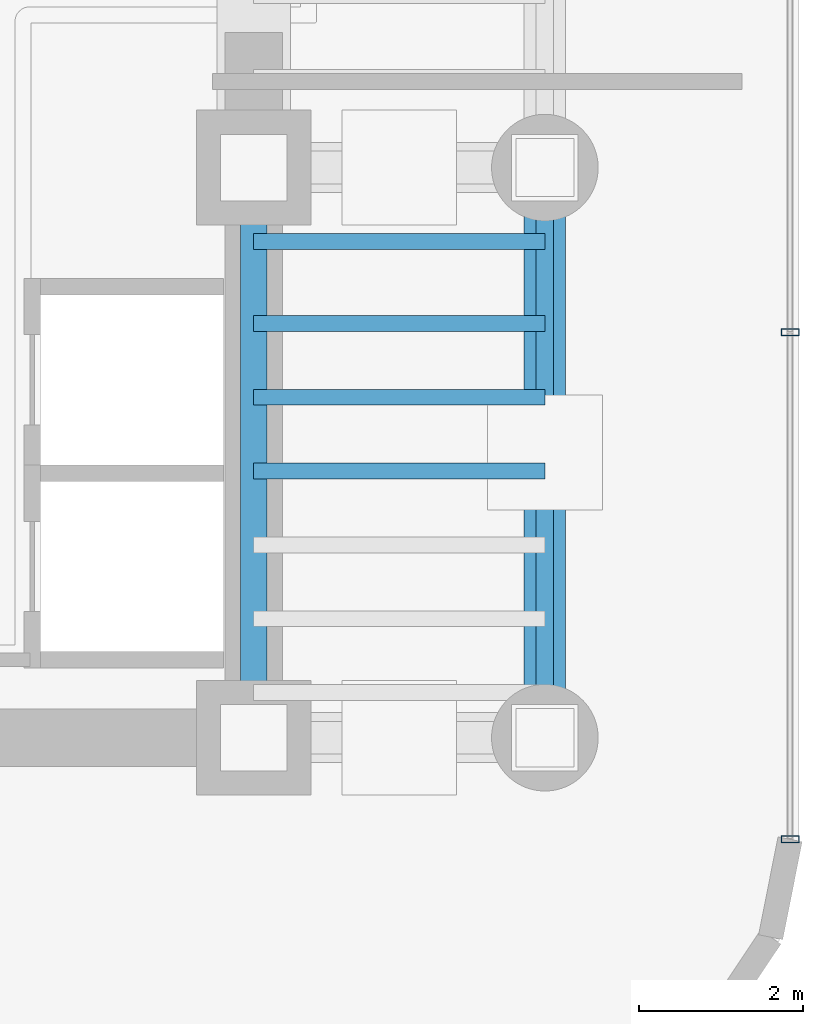
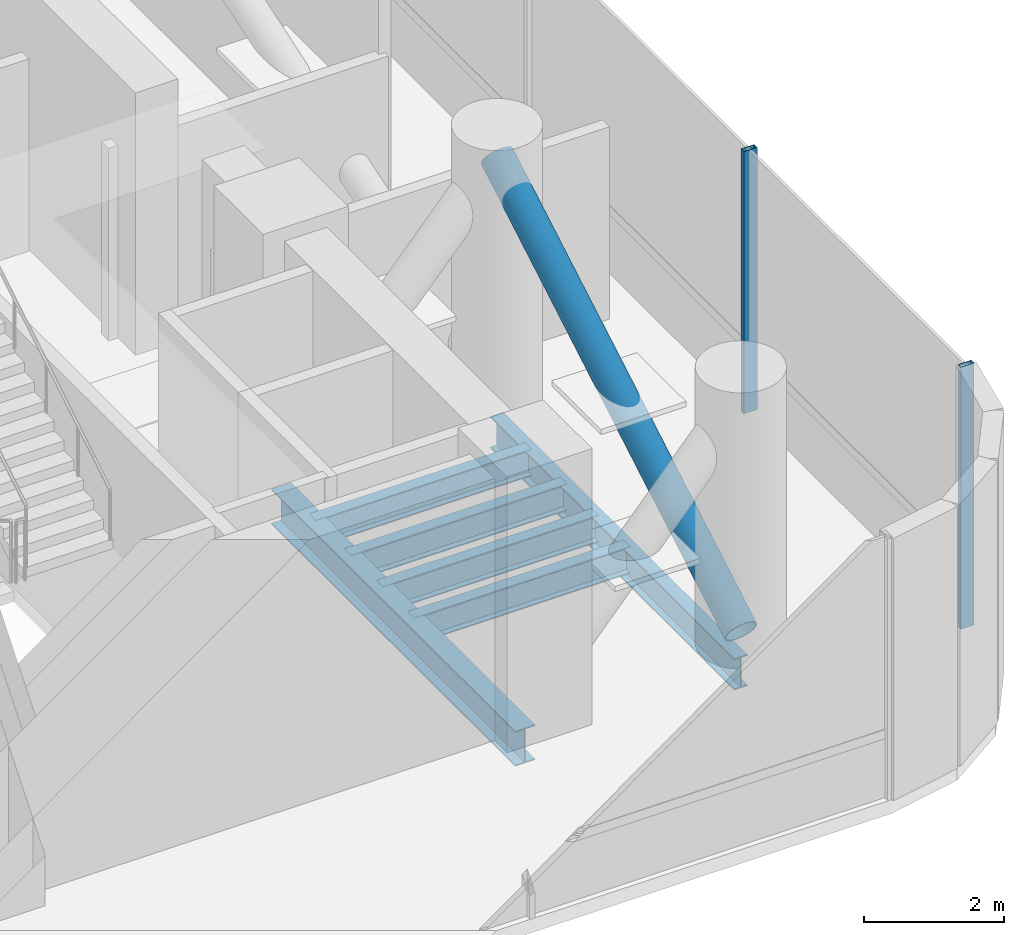
# One storey, part 15 of 39: 6 beams, 3 members, 1 element without a shape of its own.
"""IFC4 building model written with IfcOpenShell, lengths in metres."""

import ifcopenshell
import ifcopenshell.guid

model = None  # the IFC model being written
_history = None  # IfcOwnerHistory: only IFC2X3 demands one
_inside = {}  # id of a spatial element -> (the spatial element, [elements in it])
_under = {}  # id of a project, library or spatial element -> (it, [spatial elements below it])
_declared = {}  # id of a project -> (the project, [libraries it declares])
_typed = {}  # id of a type object -> (the type object, [elements of that type])
_made_of = {}  # id of a material, layer set ... -> (it, [elements and type objects made of it])


def new_model(schema):
    """Start an empty IFC model of exactly this schema.

    Asked for "IFC4X3", IfcOpenShell would pick the latest addendum, in which some entities
    have other attributes; the version numbers below select the first issue.
    IFC2X3 requires an IfcOwnerHistory on every rooted entity: one is made here for all.
    """
    global model, _history
    if schema == "IFC4X3":
        model = ifcopenshell.file(schema_version=(4, 3, 0, 0))
    else:
        model = ifcopenshell.file(schema=schema)
    _inside.clear()
    _under.clear()
    _declared.clear()
    _typed.clear()
    _made_of.clear()
    _history = None
    if model.schema == "IFC2X3":
        org = make("IfcOrganization", Name="unknown")
        user = make(
            "IfcPersonAndOrganization",
            ThePerson=make("IfcPerson", FamilyName="unknown"),
            TheOrganization=org,
        )
        app = make(
            "IfcApplication",
            ApplicationDeveloper=org,
            Version="unknown",
            ApplicationFullName="unknown",
            ApplicationIdentifier="unknown",
        )
        _history = make(
            "IfcOwnerHistory",
            OwningUser=user,
            OwningApplication=app,
            ChangeAction="ADDED",
            CreationDate=0,
        )
    return model


def make(cls, **values):
    """One entity of the class cls with the attributes given. An attribute that is None is left unset."""
    return model.create_entity(
        cls, **{name: value for name, value in values.items() if value is not None}
    )


def rooted(cls, **values):
    """An entity with a GlobalId (a new one), such as an element, a storey or a relation."""
    return make(cls, GlobalId=ifcopenshell.guid.new(), OwnerHistory=_history, **values)


def si_unit(unit_type, name, prefix=None):
    """IfcSIUnit, for example si_unit("LENGTHUNIT", "METRE", prefix="MILLI")."""
    return make("IfcSIUnit", UnitType=unit_type, Prefix=prefix, Name=name)


def assignment(units):
    """IfcUnitAssignment: the units of a project."""
    return None if units is None else make("IfcUnitAssignment", Units=units)


def point(xyz):
    """IfcCartesianPoint."""
    return None if xyz is None else make("IfcCartesianPoint", Coordinates=xyz)


def direction(xyz):
    """IfcDirection."""
    return None if xyz is None else make("IfcDirection", DirectionRatios=xyz)


def frame(location, z_axis=None, x_axis=None):
    """IfcAxis2Placement3D, a coordinate frame: its origin and axes. An axis left out is left unset."""
    return make(
        "IfcAxis2Placement3D",
        Location=point(location),
        Axis=direction(z_axis),
        RefDirection=direction(x_axis),
    )


def frame_2d(location, x_axis=None):
    """IfcAxis2Placement2D, a coordinate frame in the plane: its origin and x axis."""
    return make(
        "IfcAxis2Placement2D", Location=point(location), RefDirection=direction(x_axis)
    )


def origin():
    """The frame at (0, 0, 0) with its axes left unset."""
    return frame((0.0, 0.0, 0.0))


def origin_2d():
    """The frame at (0, 0) in the plane with its x axis left unset."""
    return frame_2d((0.0, 0.0))


def place(relative_to, where):
    """IfcLocalPlacement: puts the frame where relative to a parent placement (None: the world)."""
    return make(
        "IfcLocalPlacement", PlacementRelTo=relative_to, RelativePlacement=where
    )


def context(
    kind, dimensions, precision=None, world=None, true_north=None, identifier=None
):
    """IfcGeometricRepresentationContext, for example the 3D "Model" context."""
    return make(
        "IfcGeometricRepresentationContext",
        ContextIdentifier=identifier,
        ContextType=kind,
        CoordinateSpaceDimension=dimensions,
        Precision=precision,
        WorldCoordinateSystem=world,
        TrueNorth=true_north,
    )


def subcontext(parent, identifier, kind, view, scale=None):
    """IfcGeometricRepresentationSubContext, for example "Body" below "Model"."""
    return make(
        "IfcGeometricRepresentationSubContext",
        ContextIdentifier=identifier,
        ContextType=kind,
        ParentContext=parent,
        TargetScale=scale,
        TargetView=view,
    )


def project(units=None, contexts=None):
    """IfcProject with its units and contexts."""
    return rooted(
        "IfcProject",
        Name="project",
        RepresentationContexts=contexts,
        UnitsInContext=assignment(units),
    )


def spatial(cls, under=None, at=None, **own):
    """A site, building, storey or space (cls), placed at a placement, below another one or the project."""
    s = rooted(cls, ObjectPlacement=at, **own)
    if under is not None:
        _under.setdefault(under.id(), (under, []))[1].append(s)
    return s


def profile(cls, at=None, kind="AREA", **sizes):
    """A parametric profile (cls). Its sizes go by their IFC names, for example OverallWidth=200.0."""
    return make(cls, ProfileType=kind, Position=at, **sizes)


def hollow_rectangle(**sizes):
    """IfcRectangleHollowProfileDef."""
    return profile("IfcRectangleHollowProfileDef", **sizes)


def hollow_circle(**sizes):
    """IfcCircleHollowProfileDef."""
    return profile("IfcCircleHollowProfileDef", **sizes)


def i_section(**sizes):
    """IfcIShapeProfileDef."""
    return profile("IfcIShapeProfileDef", **sizes)


def extrude(swept, where, along, depth):
    """IfcExtrudedAreaSolid: the profile swept, set in the frame where, extruded along a direction by depth."""
    return make(
        "IfcExtrudedAreaSolid",
        SweptArea=swept,
        Position=where,
        ExtrudedDirection=direction(along),
        Depth=depth,
    )


def shape(context_of_items, identifier, shape_type, items):
    """IfcShapeRepresentation: the items that make up one representation, for example the "Body"."""
    return make(
        "IfcShapeRepresentation",
        ContextOfItems=context_of_items,
        RepresentationIdentifier=identifier,
        RepresentationType=shape_type,
        Items=items,
    )


def source(mapping_origin, context_of_items, identifier, shape_type, items):
    """IfcRepresentationMap: a shape defined once, which mapped items show again and again."""
    return make(
        "IfcRepresentationMap",
        MappingOrigin=mapping_origin,
        MappedRepresentation=shape(context_of_items, identifier, shape_type, items),
    )


def transform(
    local_origin,
    x_axis=None,
    y_axis=None,
    z_axis=None,
    scale=None,
    scale2=None,
    scale3=None,
    uniform=True,
):
    """IfcCartesianTransformationOperator3D, or its non-uniform kind. x_axis, y_axis, z_axis: its Axis1, 2, 3."""
    if uniform:
        return make(
            "IfcCartesianTransformationOperator3D",
            Axis1=direction(x_axis),
            Axis2=direction(y_axis),
            LocalOrigin=point(local_origin),
            Scale=scale,
            Axis3=direction(z_axis),
        )
    return make(
        "IfcCartesianTransformationOperator3DnonUniform",
        Axis1=direction(x_axis),
        Axis2=direction(y_axis),
        LocalOrigin=point(local_origin),
        Scale=scale,
        Axis3=direction(z_axis),
        Scale2=scale2,
        Scale3=scale3,
    )


def mapped(mapping_source, mapping_target):
    """IfcMappedItem: shows the shape of a source again, moved by a transform."""
    return make(
        "IfcMappedItem", MappingSource=mapping_source, MappingTarget=mapping_target
    )


def material(Name=None, Category=None):
    """IfcMaterial."""
    return make("IfcMaterial", Name=Name, Category=Category)


def material_profile(
    of_material, cross_section, Name=None, Category=None, Priority=None
):
    """IfcMaterialProfile: a cross section and its material."""
    return make(
        "IfcMaterialProfile",
        Name=Name,
        Material=of_material,
        Profile=cross_section,
        Priority=Priority,
        Category=Category,
    )


def profile_set(profiles, Name=None, composite=None):
    """IfcMaterialProfileSet."""
    return make(
        "IfcMaterialProfileSet",
        Name=Name,
        MaterialProfiles=profiles,
        CompositeProfile=composite,
    )


def made_of(thing, what):
    """Note that an element or type object is made of a material, layer set ...; save() writes the relation."""
    if what is not None:
        _made_of.setdefault(what.id(), (what, []))[1].append(thing)
    return thing


def type_object(cls, material=None, **own):
    """A type object (cls), such as IfcWallType, which elements share."""
    return made_of(rooted(cls, **own), material)


def element(
    cls,
    number,
    at=None,
    inside=None,
    cuts=None,
    type_object=None,
    material=None,
    context=None,
    identifier="Body",
    shape_type=None,
    held_by="IfcProductDefinitionShape",
    body=None,
    shapes=None,
    **own,
):
    """One element of the class cls, such as IfcWall. Its Tag is "e" and its number.

    at: its placement. inside: the storey or other place that contains it. cuts: it is an
    opening in that element (IfcRelVoidsElement). A single representation is given by context,
    identifier, shape_type and body (its items); several are given by shapes. held_by: the class
    of the entity that holds the representations. save() writes the other relations.
    """
    e = rooted(cls, Tag="e%d" % number, ObjectPlacement=at, **own)
    if body is not None:
        shapes = [shape(context, identifier, shape_type, body)]
    if shapes is not None:
        e.Representation = make(held_by, Representations=shapes)
    if inside is not None:
        _inside.setdefault(inside.id(), (inside, []))[1].append(e)
    if cuts is not None:
        rooted(
            "IfcRelVoidsElement", RelatingBuildingElement=cuts, RelatedOpeningElement=e
        )
    if type_object is not None:
        _typed.setdefault(type_object.id(), (type_object, []))[1].append(e)
    return made_of(e, material)


def aggregate(whole, parts):
    """IfcRelAggregates: a whole, such as a stair, and the parts it consists of."""
    return rooted("IfcRelAggregates", RelatingObject=whole, RelatedObjects=parts)


def save(model, path):
    """Write the relations noted so far, then the file.

    IfcRelAggregates (storeys below a building ...), IfcRelContainedInSpatialStructure (elements
    in a storey), IfcRelDefinesByType, IfcRelAssociatesMaterial and IfcRelDeclares: one each for
    every whole, place, type object, material and project.
    """
    for whole, parts in _under.values():
        aggregate(whole, parts)
    for where, things in _inside.values():
        rooted(
            "IfcRelContainedInSpatialStructure",
            RelatedElements=things,
            RelatingStructure=where,
        )
    for kind, things in _typed.values():
        rooted("IfcRelDefinesByType", RelatedObjects=things, RelatingType=kind)
    for what, things in _made_of.values():
        rooted("IfcRelAssociatesMaterial", RelatedObjects=things, RelatingMaterial=what)
    for by, libraries in _declared.values():
        rooted("IfcRelDeclares", RelatingContext=by, RelatedDefinitions=libraries)
    model.write(path)


model = new_model("IFC4")

# Units and contexts
model_context = context("Model", 3, precision=1e-05, world=origin(), true_north=direction((0.0, 1.0)))
body_context = subcontext(model_context, "Body", "Model", "MODEL_VIEW")
ifc_project = project(units=[si_unit("LENGTHUNIT", "METRE"), si_unit("AREAUNIT", "SQUARE_METRE"), si_unit("VOLUMEUNIT", "CUBIC_METRE"), si_unit("PLANEANGLEUNIT", "RADIAN"), si_unit("MASSUNIT", "GRAM", prefix="KILO")], contexts=[model_context])

# Site, building, storey
site_placement = place(None, origin())
site = spatial("IfcSite", under=ifc_project, at=site_placement, CompositionType="ELEMENT")
building_placement = place(site_placement, origin())
building = spatial("IfcBuilding", under=site, at=building_placement, Name="Valdorenza Pilgrim Sanctuary Tower", CompositionType="ELEMENT")
storey_placement = place(building_placement, frame((0.0, 0.0, 96.300048828125)))
storey = spatial("IfcBuildingStorey", under=building, at=storey_placement, Name="L24", CompositionType="ELEMENT", Elevation=96.300048828125)

# Beams
ifc_material_1 = material(Name="Steel ASTM A992 Grade 50", Category="steel")
ifc_material_profile_1 = material_profile(ifc_material_1, i_section(OverallWidth=0.323974609375, OverallDepth=0.611083984375, WebThickness=0.0126953125, FlangeThickness=0.01904296875, at=origin_2d()), Name="W24X104")
ifc_profile_set_1 = profile_set([ifc_material_profile_1], Name="Steel ASTM A992 Grade 50")
beam_type_1 = type_object("IfcBeamType", Name="STR-BM-GRD-W24B", PredefinedType="BEAM", material=ifc_profile_set_1)
shared_shape_1 = source(origin(), body_context, "Body", "SweptSolid", [
    extrude(i_section(OverallWidth=0.323974609375, OverallDepth=0.611083984375, WebThickness=0.0126953125, FlangeThickness=0.01904296875, at=origin_2d()), origin(), (0.0, 0.0, 1.0), 6.949951171875),
])
beam_1_placement = place(storey_placement, frame((24.85009765625, -9.550048828125, -0.545654296875), z_axis=(0.0, 1.0, 0.0), x_axis=(-1.0, 0.0, 0.0)))
element("IfcBeam", 1, at=beam_1_placement, inside=storey, type_object=beam_type_1, Name="L24 Core Tie Girder CB-E-S1M0", PredefinedType="BEAM", context=body_context, shape_type="MappedRepresentation", body=[
    mapped(shared_shape_1, transform((0.0, 0.0, 0.0), x_axis=(1.0, 0.0, 0.0), y_axis=(0.0, 1.0, 0.0), z_axis=(0.0, 0.0, 1.0), scale=1.0)),
])
ifc_material_profile_2 = material_profile(ifc_material_1, i_section(OverallWidth=0.214111328125, OverallDepth=0.549072265625, WebThickness=0.0146484375, FlangeThickness=0.023681640625, at=origin_2d()), Name="W21X93")
ifc_profile_set_2 = profile_set([ifc_material_profile_2], Name="Steel ASTM A992 Grade 50")
beam_type_2 = type_object("IfcBeamType", Name="STR-BM-SPN-W21A", PredefinedType="SPANDREL", material=ifc_profile_set_2)
shared_shape_2 = source(origin(), body_context, "Body", "SweptSolid", [
    extrude(i_section(OverallWidth=0.214111328125, OverallDepth=0.549072265625, WebThickness=0.0146484375, FlangeThickness=0.023681640625, at=origin_2d()), origin(), (0.0, 0.0, 1.0), 6.949951171875),
])
beam_2_placement = place(storey_placement, frame((28.39990234375, -9.550048828125, -0.5146484375), z_axis=(0.0, 1.0, 0.0), x_axis=(-1.0, 0.0, 0.0)))
element("IfcBeam", 2, at=beam_2_placement, inside=storey, type_object=beam_type_2, Name="L24 Spandrel Beam WB-E-S1M0", PredefinedType="SPANDREL", context=body_context, shape_type="MappedRepresentation", body=[
    mapped(shared_shape_2, transform((0.0, 0.0, 0.0), x_axis=(1.0, 0.0, 0.0), y_axis=(0.0, 1.0, 0.0), z_axis=(0.0, 0.0, 1.0), scale=1.0)),
])
ifc_material_profile_3 = material_profile(ifc_material_1, i_section(OverallWidth=0.193115234375, OverallDepth=0.466064453125, WebThickness=0.011474609375, FlangeThickness=0.01904296875, at=origin_2d()), Name="W18X65")
ifc_profile_set_3 = profile_set([ifc_material_profile_3], Name="Steel ASTM A992 Grade 50")
beam_type_3 = type_object("IfcBeamType", Name="STR-BM-JST-W18A", PredefinedType="JOIST", material=ifc_profile_set_3)
shared_shape_3 = source(origin(), body_context, "Body", "SweptSolid", [
    extrude(i_section(OverallWidth=0.193115234375, OverallDepth=0.466064453125, WebThickness=0.011474609375, FlangeThickness=0.01904296875, at=origin_2d()), origin(), (0.0, 0.0, 1.0), 3.5498046875),
])
for number, where, z_axis, x_axis, name in (
    (3, (24.85009765625, -6.300048828125, -0.47314453125), (1.0, 0.0, 0.0), (0.0, 1.0, 0.0), "L24 Composite Floor Joist JST-WB-4"),
    (4, (24.85009765625, -5.39990234375, -0.47314453125), (1.0, 0.0, 0.0), (0.0, 1.0, 0.0), "L24 Composite Floor Joist JST-WB-5"),
    (5, (24.85009765625, -4.5, -0.47314453125), (1.0, 0.0, 0.0), (0.0, 1.0, 0.0), "L24 Composite Floor Joist JST-WB-6"),
    (6, (24.85009765625, -3.5, -0.47314453125), (1.0, 0.0, 0.0), (0.0, 1.0, 0.0), "L24 Composite Floor Joist JST-WB-7"),
):
    element("IfcBeam", number, at=place(storey_placement, frame(where, z_axis=z_axis, x_axis=x_axis)), inside=storey, type_object=beam_type_3, Name=name, PredefinedType="JOIST", context=body_context, shape_type="MappedRepresentation", body=[
        mapped(shared_shape_3, transform((0.0, 0.0, 0.0), x_axis=(1.0, 0.0, 0.0), y_axis=(0.0, 1.0, 0.0), z_axis=(0.0, 0.0, 1.0), scale=1.0)),
    ])

# Member
ifc_material_2 = material(Name="Steel S355J2", Category="steel")
ifc_material_profile_4 = material_profile(ifc_material_2, hollow_circle(Radius=0.25390625, WallThickness=0.02001953125, at=origin_2d()), Name="CHS 508x20")
ifc_profile_set_4 = profile_set([ifc_material_profile_4], Name="Steel S355J2")
member_type_1 = type_object("IfcMemberType", Name="STR-MB-CHS-508", PredefinedType="STRUT", material=ifc_profile_set_4)
shared_shape_4 = source(origin(), body_context, "Body", "SweptSolid", [
    extrude(hollow_circle(Radius=0.25390625, WallThickness=0.02001953125, at=origin_2d()), origin(), (0.0, 0.0, 1.0), 8.0439453125),
])
member_1_placement = place(storey_placement, frame((28.39990234375, -9.550048828125, 0.199951171875), z_axis=(0.0, 0.864000080654, 0.503491668879), x_axis=(-1.0, 0.0, 0.0)))
element("IfcMember", 7, at=member_1_placement, inside=storey, type_object=member_type_1, Name="L24 East Wing Belt Truss Strut E1", PredefinedType="STRUT", context=body_context, shape_type="MappedRepresentation", body=[
    mapped(shared_shape_4, transform((0.0, 0.0, 0.0), x_axis=(1.0, 0.0, 0.0), y_axis=(0.0, 1.0, 0.0), z_axis=(0.0, 0.0, 1.0), scale=1.0)),
])

# Curtain wall, members
ifc_material_3 = material(Name="Curtain-wall IGU glazing", Category="glass")
curtain_wall_type = type_object("IfcCurtainWallType", Name="CW-SYS-03", PredefinedType="NOTDEFINED", material=ifc_material_3)
curtain_wall_placement = place(storey_placement, origin())
curtain_wall = element("IfcCurtainWall", 8, at=curtain_wall_placement, inside=storey, type_object=curtain_wall_type, Name="L24 Curtain Wall CW-L24-1-21", PredefinedType="NOTDEFINED")
ifc_material_4 = material(Name="Anodised aluminium AW-6060", Category="aluminium")
ifc_material_profile_5 = material_profile(ifc_material_4, hollow_rectangle(XDim=0.0849609375, YDim=0.219970703125, WallThickness=0.0048828125, at=origin_2d()), Name="ALU-M 220x85x5")
ifc_profile_set_5 = profile_set([ifc_material_profile_5], Name="Anodised aluminium AW-6060")
member_type_2 = type_object("IfcMemberType", Name="CW-MUL-03", PredefinedType="MULLION", material=ifc_profile_set_5)
shared_shape_5 = source(origin(), body_context, "Body", "SweptSolid", [
    extrude(hollow_rectangle(XDim=0.0849609375, YDim=0.219970703125, WallThickness=0.0048828125, at=origin_2d()), origin(), (0.0, 0.0, 1.0), 4.56005859375),
])
member_2_placement = place(storey_placement, frame((31.389892578125, -4.605712890625, 0.0), z_axis=(0.0, 0.0, 1.0), x_axis=(0.0, -1.0, 0.0)))
member_2 = element("IfcMember", 9, at=member_2_placement, type_object=member_type_2, Name="CW-L24-1-21 Mullion 4", PredefinedType="MULLION", context=body_context, shape_type="MappedRepresentation", body=[
    mapped(shared_shape_5, transform((0.0, 0.0, 0.0), x_axis=(1.0, 0.0, 0.0), y_axis=(0.0, 1.0, 0.0), z_axis=(0.0, 0.0, 1.0), scale=1.0)),
])
member_3_placement = place(storey_placement, frame((31.389892578125, -10.789306640625, 0.0), z_axis=(0.0, 0.0, 1.0), x_axis=(0.0, -1.0, 0.0)))
member_3 = element("IfcMember", 10, at=member_3_placement, type_object=member_type_2, Name="CW-L24-1-21 Mullion 5", PredefinedType="MULLION", context=body_context, shape_type="MappedRepresentation", body=[
    mapped(shared_shape_5, transform((0.0, 0.0, 0.0), x_axis=(1.0, 0.0, 0.0), y_axis=(0.0, 1.0, 0.0), z_axis=(0.0, 0.0, 1.0), scale=1.0)),
])
aggregate(curtain_wall, [member_2, member_3])

save(model, "model.ifc")
